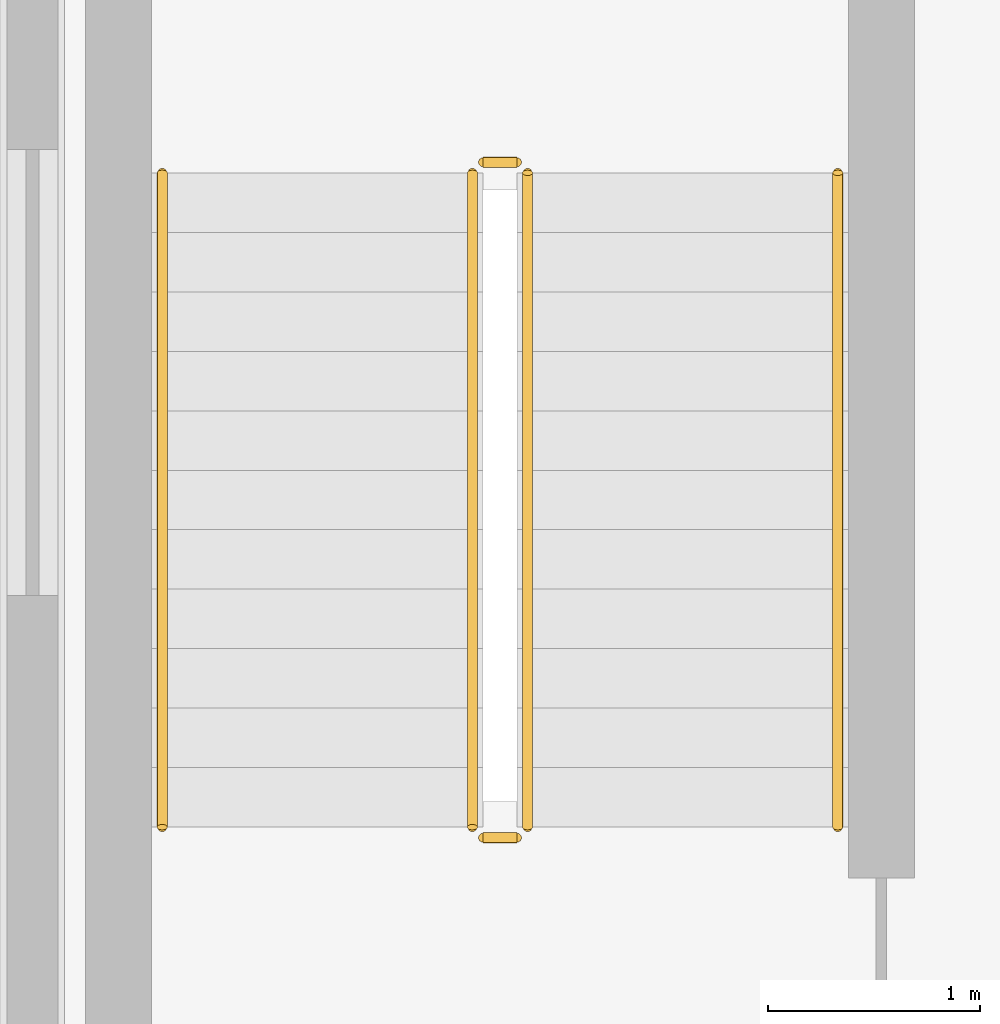
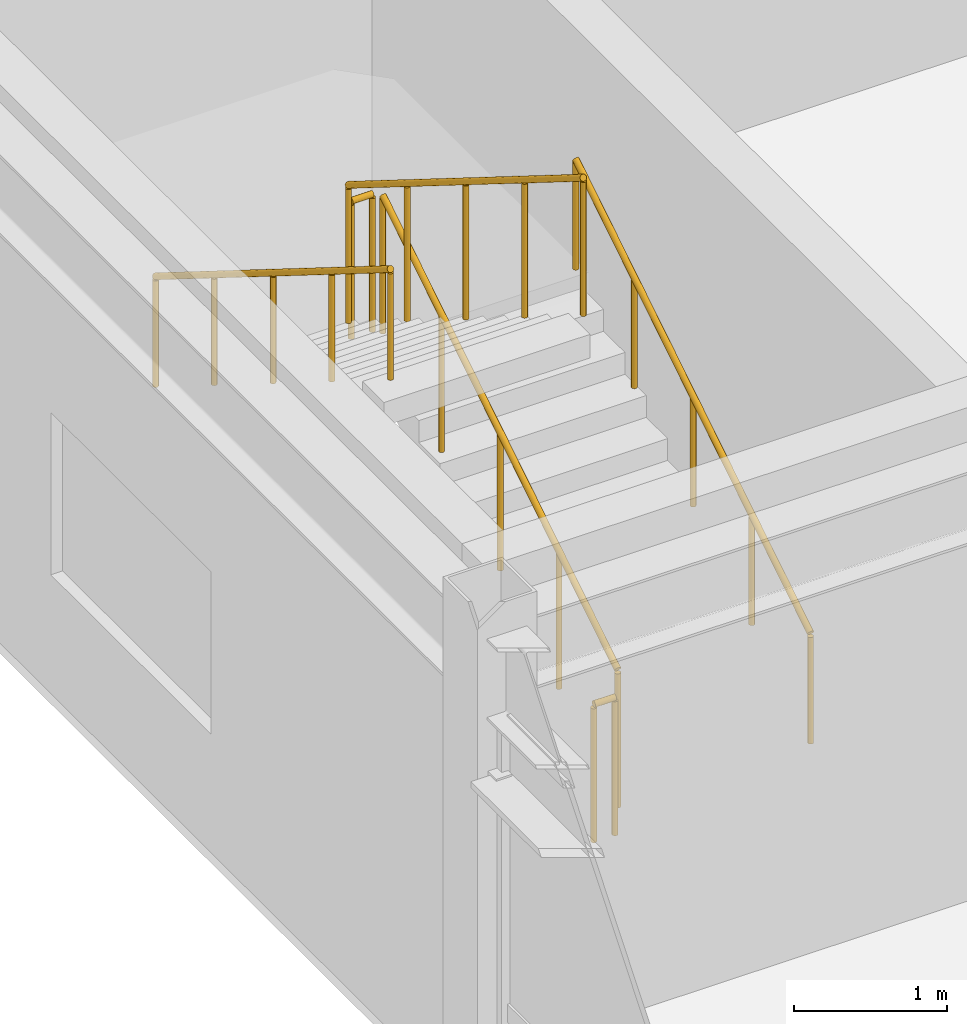
# One storey, part 107 of 108: 6 railings.
"""IFC4 building model written with IfcOpenShell, lengths in metres."""

from ifc_helpers import new_model, si_unit, direction, frame, origin, origin_2d, place, context, subcontext, project, spatial, circle, extrude, material, type_object, element, save


model = new_model("IFC4")

# Units and contexts
model_context = context("Model", 3, precision=1e-05, world=origin(), true_north=direction((0.0, 1.0)))
body_context = subcontext(model_context, "Body", "Model", "MODEL_VIEW")
ifc_project = project(units=[si_unit("LENGTHUNIT", "METRE"), si_unit("AREAUNIT", "SQUARE_METRE"), si_unit("VOLUMEUNIT", "CUBIC_METRE"), si_unit("PLANEANGLEUNIT", "RADIAN"), si_unit("MASSUNIT", "GRAM", prefix="KILO")], contexts=[model_context])

# Site, building, storey
site_placement = place(None, origin())
site = spatial("IfcSite", under=ifc_project, at=site_placement, CompositionType="ELEMENT")
building_placement = place(site_placement, origin())
building = spatial("IfcBuilding", under=site, at=building_placement, Name="Suzunagisa Mobility Hub", CompositionType="ELEMENT")
storey_placement = place(building_placement, frame((0.0, 0.0, 9.300048828125)))
storey = spatial("IfcBuildingStorey", under=building, at=storey_placement, Name="L02", CompositionType="ELEMENT", Elevation=9.300048828125)

# Railings
ifc_material = material(Name="Stainless Steel SUS304", Category="metal")
railing_type_1 = type_object("IfcRailingType", Name="Interior Well Guardrail IGR-01", PredefinedType="GUARDRAIL", material=ifc_material)
railing_1_placement = place(storey_placement, frame((146.330078125, 91.360107421875, 0.175048828125)))
element("IfcRailing", 1, at=railing_1_placement, inside=storey, type_object=railing_type_1, Name="L02 ST-12 stair guard 1", PredefinedType="GUARDRAIL", context=body_context, shape_type="SweptSolid", body=[
    extrude(circle(Radius=0.02392578125, at=origin_2d()), frame((0.0, 0.0, 1.09619140625), z_axis=(0.0, 0.848009633417, 0.529980812513), x_axis=(-1.0, 0.0, 0.0)), (0.0, 0.0, 1.0), 3.6318359375),
    extrude(circle(Radius=0.02099609375, at=origin_2d()), origin(), (0.0, 0.0, 1.0), 1.072021484375),
    extrude(circle(Radius=0.02099609375, at=origin_2d()), frame((0.0, 0.77001953125, 0.481201171875)), (0.0, 0.0, 1.0), 1.072021484375),
    extrude(circle(Radius=0.02099609375, at=origin_2d()), frame((0.0, 1.5400390625, 0.96240234375)), (0.0, 0.0, 1.0), 1.072021484375),
    extrude(circle(Radius=0.02099609375, at=origin_2d()), frame((0.0, 2.309814453125, 1.443603515625)), (0.0, 0.0, 1.0), 1.072021484375),
    extrude(circle(Radius=0.02099609375, at=origin_2d()), frame((0.0, 3.079833984375, 1.9248046875)), (0.0, 0.0, 1.0), 1.072021484375),
])
railing_2_placement = place(storey_placement, frame((146.280029296875, 94.489990234375, 2.099853515625)))
element("IfcRailing", 2, at=railing_2_placement, inside=storey, type_object=railing_type_1, Name="L02 ST-12 stair guard 2", PredefinedType="GUARDRAIL", context=body_context, shape_type="SweptSolid", body=[
    extrude(circle(Radius=0.02392578125, at=origin_2d()), frame((0.0, 0.0, 1.09619140625), z_axis=(-1.0, 0.0, 0.0), x_axis=(0.0, -1.0, 0.0)), (0.0, 0.0, 1.0), 0.159912109375),
    extrude(circle(Radius=0.02099609375, at=origin_2d()), origin(), (0.0, 0.0, 1.0), 1.072021484375),
    extrude(circle(Radius=0.02099609375, at=origin_2d()), frame((-0.159912109375, 0.0, 0.0)), (0.0, 0.0, 1.0), 1.072021484375),
])
railing_3_placement = place(storey_placement, frame((146.070068359375, 94.43994140625, 2.27490234375)))
element("IfcRailing", 3, at=railing_3_placement, inside=storey, type_object=railing_type_1, Name="L02 ST-12 stair guard 3", PredefinedType="GUARDRAIL", context=body_context, shape_type="SweptSolid", body=[
    extrude(circle(Radius=0.02392578125, at=origin_2d()), frame((0.0, 0.0, 1.09619140625), z_axis=(0.0, -0.847979421464, 0.530029150871), x_axis=(1.0, 0.0, 0.0)), (0.0, 0.0, 1.0), 3.632080078125),
    extrude(circle(Radius=0.02099609375, at=origin_2d()), origin(), (0.0, 0.0, 1.0), 1.072021484375),
    extrude(circle(Radius=0.02099609375, at=origin_2d()), frame((0.0, -0.77001953125, 0.481201171875)), (0.0, 0.0, 1.0), 1.072021484375),
    extrude(circle(Radius=0.02099609375, at=origin_2d()), frame((0.0, -1.5400390625, 0.96240234375)), (0.0, 0.0, 1.0), 1.072021484375),
    extrude(circle(Radius=0.02099609375, at=origin_2d()), frame((0.0, -2.309814453125, 1.44384765625)), (0.0, 0.0, 1.0), 1.072021484375),
    extrude(circle(Radius=0.02099609375, at=origin_2d()), frame((0.0, -3.079833984375, 1.925048828125)), (0.0, 0.0, 1.0), 1.072021484375),
])
railing_4_placement = place(storey_placement, frame((146.280029296875, 91.31005859375, 0.0)))
element("IfcRailing", 4, at=railing_4_placement, inside=storey, type_object=railing_type_1, Name="L02 ST-12 stair guard 4", PredefinedType="GUARDRAIL", context=body_context, shape_type="SweptSolid", body=[
    extrude(circle(Radius=0.02392578125, at=origin_2d()), frame((0.0, 0.0, 1.09619140625), z_axis=(-1.0, 0.0, 0.0), x_axis=(0.0, -1.0, 0.0)), (0.0, 0.0, 1.0), 0.159912109375),
    extrude(circle(Radius=0.02099609375, at=origin_2d()), origin(), (0.0, 0.0, 1.0), 1.072021484375),
    extrude(circle(Radius=0.02099609375, at=origin_2d()), frame((-0.159912109375, 0.0, 0.0)), (0.0, 0.0, 1.0), 1.072021484375),
])
railing_type_2 = type_object("IfcRailingType", Name="Tubular Stainless Stair Handrail IHR-01", PredefinedType="HANDRAIL", material=ifc_material)
railing_5_placement = place(storey_placement, frame((147.7900390625, 91.360107421875, 0.175048828125)))
element("IfcRailing", 5, at=railing_5_placement, inside=storey, type_object=railing_type_2, Name="L02 ST-12 stair handrail 1", PredefinedType="HANDRAIL", context=body_context, shape_type="SweptSolid", body=[
    extrude(circle(Radius=0.02392578125, at=origin_2d()), frame((0.0, 0.0, 0.8759765625), z_axis=(0.0, 0.848009633417, 0.529980812513), x_axis=(-1.0, 0.0, 0.0)), (0.0, 0.0, 1.0), 3.6318359375),
    extrude(circle(Radius=0.02099609375, at=origin_2d()), origin(), (0.0, 0.0, 1.0), 0.851806640625),
    extrude(circle(Radius=0.02099609375, at=origin_2d()), frame((0.0, 0.77001953125, 0.481201171875)), (0.0, 0.0, 1.0), 0.851806640625),
    extrude(circle(Radius=0.02099609375, at=origin_2d()), frame((0.0, 1.5400390625, 0.96240234375)), (0.0, 0.0, 1.0), 0.851806640625),
    extrude(circle(Radius=0.02099609375, at=origin_2d()), frame((0.0, 2.309814453125, 1.443603515625)), (0.0, 0.0, 1.0), 0.851806640625),
    extrude(circle(Radius=0.02099609375, at=origin_2d()), frame((0.0, 3.079833984375, 1.9248046875)), (0.0, 0.0, 1.0), 0.851806640625),
])
railing_6_placement = place(storey_placement, frame((144.610107421875, 94.43994140625, 2.27490234375)))
element("IfcRailing", 6, at=railing_6_placement, inside=storey, type_object=railing_type_2, Name="L02 ST-12 stair handrail 2", PredefinedType="HANDRAIL", context=body_context, shape_type="SweptSolid", body=[
    extrude(circle(Radius=0.02392578125, at=origin_2d()), frame((0.0, 0.0, 0.8759765625), z_axis=(0.0, -0.847979421464, 0.530029150871), x_axis=(1.0, 0.0, 0.0)), (0.0, 0.0, 1.0), 3.632080078125),
    extrude(circle(Radius=0.02099609375, at=origin_2d()), origin(), (0.0, 0.0, 1.0), 0.851806640625),
    extrude(circle(Radius=0.02099609375, at=origin_2d()), frame((0.0, -0.77001953125, 0.481201171875)), (0.0, 0.0, 1.0), 0.851806640625),
    extrude(circle(Radius=0.02099609375, at=origin_2d()), frame((0.0, -1.5400390625, 0.96240234375)), (0.0, 0.0, 1.0), 0.851806640625),
    extrude(circle(Radius=0.02099609375, at=origin_2d()), frame((0.0, -2.309814453125, 1.44384765625)), (0.0, 0.0, 1.0), 0.851806640625),
    extrude(circle(Radius=0.02099609375, at=origin_2d()), frame((0.0, -3.079833984375, 1.925048828125)), (0.0, 0.0, 1.0), 0.851806640625),
])

save(model, "model.ifc")
